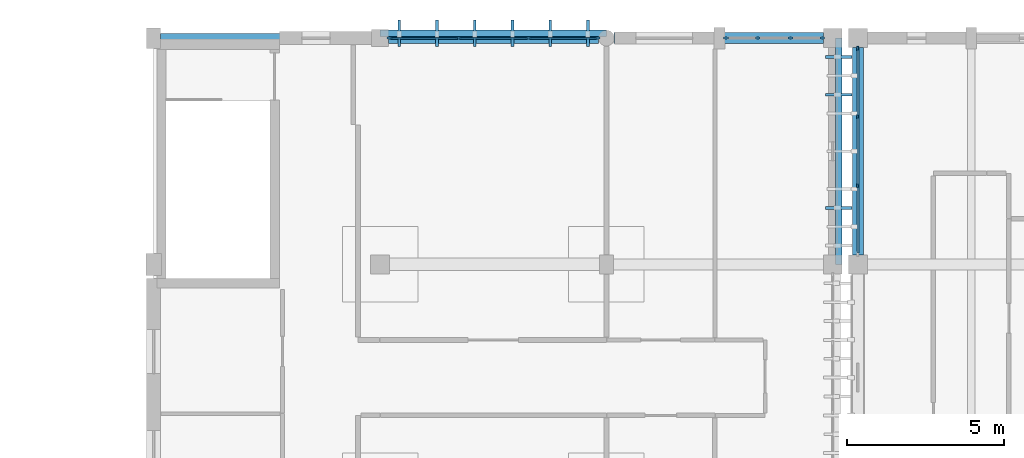
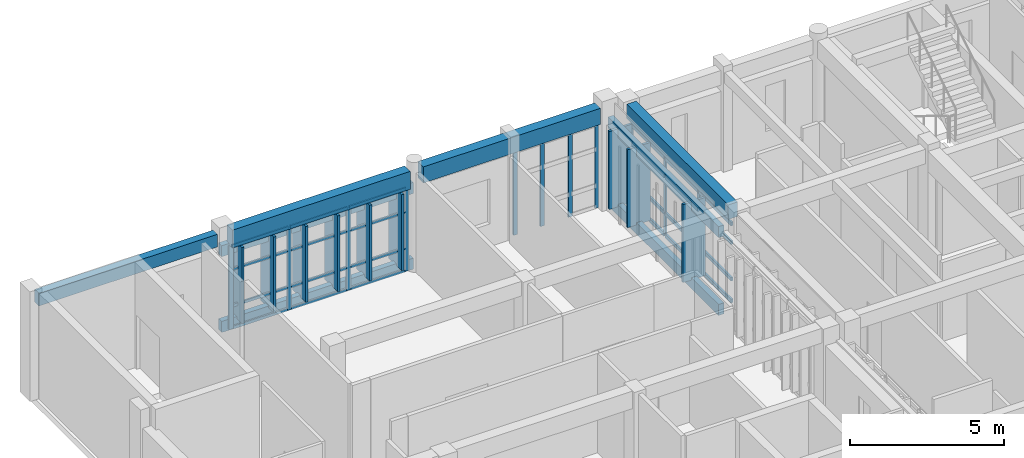
# One storey, part 15 of 55: 44 members, 8 beams, 3 elements without a shape of their own.
"""IFC4 building model written with IfcOpenShell, lengths in metres."""

from ifc_helpers import new_model, si_unit, direction, frame, origin, origin_2d, place, context, subcontext, project, spatial, rectangle, extrude, material, material_profile, profile_set, type_object, element, aggregate, save


model = new_model("IFC4")

# Units and contexts
model_context = context("Model", 3, precision=1e-05, world=origin(), true_north=direction((0.0, 1.0)))
body_context = subcontext(model_context, "Body", "Model", "MODEL_VIEW")
ifc_project = project(units=[si_unit("LENGTHUNIT", "METRE"), si_unit("AREAUNIT", "SQUARE_METRE"), si_unit("VOLUMEUNIT", "CUBIC_METRE"), si_unit("PLANEANGLEUNIT", "RADIAN"), si_unit("MASSUNIT", "GRAM", prefix="KILO")], contexts=[model_context])

# Site, building, storey
site_placement = place(None, origin())
site = spatial("IfcSite", under=ifc_project, at=site_placement, CompositionType="ELEMENT")
building_placement = place(site_placement, origin())
building = spatial("IfcBuilding", under=site, at=building_placement, Name="Steenspoor Specialist Clinic", CompositionType="ELEMENT")
storey_placement = place(building_placement, frame((0.0, 0.0, 13.199951171875)))
storey = spatial("IfcBuildingStorey", under=building, at=storey_placement, Name="L03", CompositionType="ELEMENT", Elevation=13.199951171875)

# Beams
ifc_material_1 = material(Name="Glulam GL28h", Category="wood")
ifc_material_profile_1 = material_profile(ifc_material_1, rectangle(XDim=0.199951171875, YDim=0.43994140625, at=origin_2d()), Name="GL28H-200X440")
ifc_profile_set_1 = profile_set([ifc_material_profile_1], Name="Glulam GL28h")
beam_type_1 = type_object("IfcBeamType", Name="BM-GL-200X440", PredefinedType="BEAM", material=ifc_profile_set_1)
for number, where, z_axis, x_axis, name in (
    (1, (37.199951171875, 108.5, 0.14013671875), (1.0, 0.0, 0.0), (0.0, 1.0, 0.0), "Timber Screen Tie Rail V5 L03 193"),
    (2, (37.199951171875, 108.5, 3.150146484375), (1.0, 0.0, 0.0), (0.0, 1.0, 0.0), "Timber Screen Tie Rail V5 L03 194"),
):
    element("IfcBeam", number, at=place(storey_placement, frame(where, z_axis=z_axis, x_axis=x_axis)), inside=storey, type_object=beam_type_1, Name=name, PredefinedType="BEAM", context=body_context, shape_type="SweptSolid", body=[
        extrude(rectangle(XDim=0.199951171875, YDim=0.43994140625, at=origin_2d()), origin(), (0.0, 0.0, 1.0), 7.199951171875),
    ])
for number, where, z_axis, x_axis, name in (
    (3, (51.7900390625, 108.35009765625, 0.14013671875), (0.0, -1.0, 0.0), (1.0, 0.0, 0.0), "Timber Screen Tie Rail V5 L03 201"),
    (4, (51.7900390625, 108.35009765625, 3.22998046875), (0.0, -1.0, 0.0), (1.0, 0.0, 0.0), "Timber Screen Tie Rail V5 L03 202"),
):
    element("IfcBeam", number, at=place(storey_placement, frame(where, z_axis=z_axis, x_axis=x_axis)), inside=storey, type_object=beam_type_1, Name=name, PredefinedType="BEAM", context=body_context, shape_type="SweptSolid", body=[
        extrude(rectangle(XDim=0.199951171875, YDim=0.43994140625, at=origin_2d()), origin(), (0.0, 0.0, 1.0), 7.2001953125),
    ])
ifc_material_2 = material(Name="Concrete C35/45", Category="concrete")
ifc_material_profile_2 = material_profile(ifc_material_2, rectangle(XDim=0.35009765625, YDim=0.580078125, at=origin_2d()), Name="RC-BM-350X580")
ifc_profile_set_2 = profile_set([ifc_material_profile_2], Name="Concrete C35/45")
beam_type_2 = type_object("IfcBeamType", Name="BM-RC-350X580", PredefinedType="BEAM", material=ifc_profile_set_2)
beam_1_placement = place(storey_placement, frame((52.39990234375, 101.445068359375, 3.66015625), z_axis=(0.0, 1.0, 0.0), x_axis=(-1.0, 0.0, 0.0)))
element("IfcBeam", 5, at=beam_1_placement, inside=storey, type_object=beam_type_2, Name="BM-V4-L03-Y0868", PredefinedType="BEAM", context=body_context, shape_type="SweptSolid", body=[
    extrude(rectangle(XDim=0.35009765625, YDim=0.580078125, at=origin_2d()), origin(), (0.0, 0.0, 1.0), 6.60986328125),
])

# Curtain wall, members
ifc_material_3 = material(Name="Thermally broken aluminium and low-emissivity glass", Category="aluminium")
curtain_wall_type_1 = type_object("IfcCurtainWallType", Name="CW-TYP-650X355", PredefinedType="USERDEFINED", material=ifc_material_3)
curtain_wall_1_placement = place(storey_placement, origin())
curtain_wall_1 = element("IfcCurtainWall", 6, at=curtain_wall_1_placement, inside=storey, type_object=curtain_wall_type_1, Name="Unitised Curtain Wall CW-V4-L03-106", ObjectType="UNITISED GLAZING", PredefinedType="USERDEFINED")
ifc_material_4 = material(Name="Thermally broken aluminium 6063-T6", Category="aluminium")
ifc_material_profile_3 = material_profile(ifc_material_4, rectangle(XDim=0.06005859375, YDim=0.135009765625, at=origin_2d()), Name="CWM-60X135")
ifc_profile_set_3 = profile_set([ifc_material_profile_3], Name="Thermally broken aluminium 6063-T6")
member_type_1 = type_object("IfcMemberType", Name="CW-MULL-60X135", PredefinedType="MULLION", material=ifc_profile_set_3)
member_1_placement = place(storey_placement, frame((52.39990234375, 103.64990234375, 0.0), z_axis=(0.0, 0.0, 1.0), x_axis=(-1.0, 0.0, 0.0)))
member_1 = element("IfcMember", 7, at=member_1_placement, type_object=member_type_1, Name="CW-10 mullion 2", PredefinedType="MULLION", context=body_context, shape_type="SweptSolid", body=[
    extrude(rectangle(XDim=0.06005859375, YDim=0.135009765625, at=origin_2d()), origin(), (0.0, 0.0, 1.0), 3.130126953125),
])
member_2_placement = place(storey_placement, frame((52.39990234375, 105.85009765625, 0.0), z_axis=(0.0, 0.0, 1.0), x_axis=(-1.0, 0.0, 0.0)))
member_2 = element("IfcMember", 8, at=member_2_placement, type_object=member_type_1, Name="CW-10 mullion 3", PredefinedType="MULLION", context=body_context, shape_type="SweptSolid", body=[
    extrude(rectangle(XDim=0.06005859375, YDim=0.135009765625, at=origin_2d()), origin(), (0.0, 0.0, 1.0), 3.130126953125),
])
member_3_placement = place(storey_placement, frame((52.39990234375, 108.02001953125, 0.0), z_axis=(0.0, 0.0, 1.0), x_axis=(-1.0, 0.0, 0.0)))
member_3 = element("IfcMember", 9, at=member_3_placement, type_object=member_type_1, Name="CW-10 mullion 4", PredefinedType="MULLION", context=body_context, shape_type="SweptSolid", body=[
    extrude(rectangle(XDim=0.06005859375, YDim=0.135009765625, at=origin_2d()), origin(), (0.0, 0.0, 1.0), 3.130126953125),
])

curtain_wall_type_2 = type_object("IfcCurtainWallType", Name="CW-TYP-300X355", PredefinedType="USERDEFINED", material=ifc_material_3)
curtain_wall_2_placement = place(storey_placement, origin())
curtain_wall_2 = element("IfcCurtainWall", 10, at=curtain_wall_2_placement, inside=storey, type_object=curtain_wall_type_2, Name="Unitised Curtain Wall CW-V5-L03-159", ObjectType="UNITISED GLAZING", PredefinedType="USERDEFINED")
ifc_material_profile_4 = material_profile(ifc_material_4, rectangle(XDim=0.06494140625, YDim=0.14990234375, at=origin_2d()), Name="CWM-65X150")
ifc_profile_set_4 = profile_set([ifc_material_profile_4], Name="Thermally broken aluminium 6063-T6")
member_type_2 = type_object("IfcMemberType", Name="CW-MULL-65X150", PredefinedType="MULLION", material=ifc_profile_set_4)
member_4_placement = place(storey_placement, frame((48.202392578125, 108.35009765625, 0.0), z_axis=(0.0, 0.0, 1.0), x_axis=(0.0, 1.0, 0.0)))
member_4 = element("IfcMember", 11, at=member_4_placement, type_object=member_type_2, Name="CW-15 mullion 1", PredefinedType="MULLION", context=body_context, shape_type="SweptSolid", body=[
    extrude(rectangle(XDim=0.06494140625, YDim=0.14990234375, at=origin_2d()), origin(), (0.0, 0.0, 1.0), 3.380126953125),
])
member_5_placement = place(storey_placement, frame((49.21337890625, 108.35009765625, 0.0), z_axis=(0.0, 0.0, 1.0), x_axis=(0.0, 1.0, 0.0)))
member_5 = element("IfcMember", 12, at=member_5_placement, type_object=member_type_2, Name="CW-15 mullion 2", PredefinedType="MULLION", context=body_context, shape_type="SweptSolid", body=[
    extrude(rectangle(XDim=0.06494140625, YDim=0.14990234375, at=origin_2d()), origin(), (0.0, 0.0, 1.0), 3.380126953125),
])
member_6_placement = place(storey_placement, frame((50.256591796875, 108.35009765625, 0.0), z_axis=(0.0, 0.0, 1.0), x_axis=(0.0, 1.0, 0.0)))
member_6 = element("IfcMember", 13, at=member_6_placement, type_object=member_type_2, Name="CW-15 mullion 3", PredefinedType="MULLION", context=body_context, shape_type="SweptSolid", body=[
    extrude(rectangle(XDim=0.06494140625, YDim=0.14990234375, at=origin_2d()), origin(), (0.0, 0.0, 1.0), 3.380126953125),
])
member_7_placement = place(storey_placement, frame((51.267578125, 108.35009765625, 0.0), z_axis=(0.0, 0.0, 1.0), x_axis=(0.0, 1.0, 0.0)))
member_7 = element("IfcMember", 14, at=member_7_placement, type_object=member_type_2, Name="CW-15 mullion 4", PredefinedType="MULLION", context=body_context, shape_type="SweptSolid", body=[
    extrude(rectangle(XDim=0.06494140625, YDim=0.14990234375, at=origin_2d()), origin(), (0.0, 0.0, 1.0), 3.380126953125),
])
aggregate(curtain_wall_2, [member_4, member_5, member_6, member_7])

curtain_wall_type_3 = type_object("IfcCurtainWallType", Name="CW-TYP-360X355", PredefinedType="USERDEFINED", material=ifc_material_3)
curtain_wall_3_placement = place(storey_placement, origin())
curtain_wall_3 = element("IfcCurtainWall", 15, at=curtain_wall_3_placement, inside=storey, type_object=curtain_wall_type_3, Name="Unitised Curtain Wall CW-V5-L03-158", ObjectType="UNITISED GLAZING", PredefinedType="USERDEFINED")
ifc_material_profile_5 = material_profile(ifc_material_4, rectangle(XDim=0.070068359375, YDim=0.1650390625, at=origin_2d()), Name="CWM-70X165")
ifc_profile_set_5 = profile_set([ifc_material_profile_5], Name="Thermally broken aluminium 6063-T6")
member_type_3 = type_object("IfcMemberType", Name="CW-MULL-70X165", PredefinedType="MULLION", material=ifc_profile_set_5)
member_8_placement = place(storey_placement, frame((37.510009765625, 108.35009765625, 0.0), z_axis=(0.0, 0.0, 1.0), x_axis=(0.0, 1.0, 0.0)))
member_8 = element("IfcMember", 16, at=member_8_placement, type_object=member_type_3, Name="CW-14 mullion 1", PredefinedType="MULLION", context=body_context, shape_type="SweptSolid", body=[
    extrude(rectangle(XDim=0.070068359375, YDim=0.1650390625, at=origin_2d()), origin(), (0.0, 0.0, 1.0), 3.300048828125),
])
member_9_placement = place(storey_placement, frame((39.699951171875, 108.35009765625, 0.0), z_axis=(0.0, 0.0, 1.0), x_axis=(0.0, 1.0, 0.0)))
member_9 = element("IfcMember", 17, at=member_9_placement, type_object=member_type_3, Name="CW-14 mullion 2", PredefinedType="MULLION", context=body_context, shape_type="SweptSolid", body=[
    extrude(rectangle(XDim=0.070068359375, YDim=0.1650390625, at=origin_2d()), origin(), (0.0, 0.0, 1.0), 3.300048828125),
])
member_10_placement = place(storey_placement, frame((41.925048828125, 108.35009765625, 0.0), z_axis=(0.0, 0.0, 1.0), x_axis=(0.0, 1.0, 0.0)))
member_10 = element("IfcMember", 18, at=member_10_placement, type_object=member_type_3, Name="CW-14 mullion 3", PredefinedType="MULLION", context=body_context, shape_type="SweptSolid", body=[
    extrude(rectangle(XDim=0.070068359375, YDim=0.1650390625, at=origin_2d()), origin(), (0.0, 0.0, 1.0), 3.300048828125),
])
member_11_placement = place(storey_placement, frame((44.114990234375, 108.35009765625, 0.0), z_axis=(0.0, 0.0, 1.0), x_axis=(0.0, 1.0, 0.0)))
member_11 = element("IfcMember", 19, at=member_11_placement, type_object=member_type_3, Name="CW-14 mullion 4", PredefinedType="MULLION", context=body_context, shape_type="SweptSolid", body=[
    extrude(rectangle(XDim=0.070068359375, YDim=0.1650390625, at=origin_2d()), origin(), (0.0, 0.0, 1.0), 3.300048828125),
])
ifc_material_profile_6 = material_profile(ifc_material_4, rectangle(XDim=0.06005859375, YDim=0.114990234375, at=origin_2d()), Name="CWT-60X115")
ifc_profile_set_6 = profile_set([ifc_material_profile_6], Name="Thermally broken aluminium 6063-T6")
member_type_4 = type_object("IfcMemberType", Name="CW-TRAN-60X115", PredefinedType="USERDEFINED", material=ifc_profile_set_6)
member_12_placement = place(storey_placement, frame((37.544921875, 108.35009765625, 0.030029296875), z_axis=(1.0, 0.0, 0.0), x_axis=(0.0, 1.0, 0.0)))
member_12 = element("IfcMember", 20, at=member_12_placement, type_object=member_type_4, Name="CW-14 transom 1.1", ObjectType="TRANSOM", PredefinedType="USERDEFINED", context=body_context, shape_type="SweptSolid", body=[
    extrude(rectangle(XDim=0.06005859375, YDim=0.114990234375, at=origin_2d()), origin(), (0.0, 0.0, 1.0), 2.1201171875),
])
member_13_placement = place(storey_placement, frame((37.544921875, 108.35009765625, 0.900146484375), z_axis=(1.0, 0.0, 0.0), x_axis=(0.0, 1.0, 0.0)))
member_13 = element("IfcMember", 21, at=member_13_placement, type_object=member_type_4, Name="CW-14 transom 1.2", ObjectType="TRANSOM", PredefinedType="USERDEFINED", context=body_context, shape_type="SweptSolid", body=[
    extrude(rectangle(XDim=0.06005859375, YDim=0.114990234375, at=origin_2d()), origin(), (0.0, 0.0, 1.0), 2.1201171875),
])
member_14_placement = place(storey_placement, frame((37.544921875, 108.35009765625, 2.35009765625), z_axis=(1.0, 0.0, 0.0), x_axis=(0.0, 1.0, 0.0)))
member_14 = element("IfcMember", 22, at=member_14_placement, type_object=member_type_4, Name="CW-14 transom 1.3", ObjectType="TRANSOM", PredefinedType="USERDEFINED", context=body_context, shape_type="SweptSolid", body=[
    extrude(rectangle(XDim=0.06005859375, YDim=0.114990234375, at=origin_2d()), origin(), (0.0, 0.0, 1.0), 2.1201171875),
])
member_15_placement = place(storey_placement, frame((37.544921875, 108.35009765625, 3.27001953125), z_axis=(1.0, 0.0, 0.0), x_axis=(0.0, 1.0, 0.0)))
member_15 = element("IfcMember", 23, at=member_15_placement, type_object=member_type_4, Name="CW-14 transom 1.4", ObjectType="TRANSOM", PredefinedType="USERDEFINED", context=body_context, shape_type="SweptSolid", body=[
    extrude(rectangle(XDim=0.06005859375, YDim=0.114990234375, at=origin_2d()), origin(), (0.0, 0.0, 1.0), 2.1201171875),
])
member_16_placement = place(storey_placement, frame((39.735107421875, 108.35009765625, 0.030029296875), z_axis=(1.0, 0.0, 0.0), x_axis=(0.0, 1.0, 0.0)))
member_16 = element("IfcMember", 24, at=member_16_placement, type_object=member_type_4, Name="CW-14 transom 2.1", ObjectType="TRANSOM", PredefinedType="USERDEFINED", context=body_context, shape_type="SweptSolid", body=[
    extrude(rectangle(XDim=0.06005859375, YDim=0.114990234375, at=origin_2d()), origin(), (0.0, 0.0, 1.0), 2.15478515625),
])
member_17_placement = place(storey_placement, frame((39.735107421875, 108.35009765625, 0.900146484375), z_axis=(1.0, 0.0, 0.0), x_axis=(0.0, 1.0, 0.0)))
member_17 = element("IfcMember", 25, at=member_17_placement, type_object=member_type_4, Name="CW-14 transom 2.2", ObjectType="TRANSOM", PredefinedType="USERDEFINED", context=body_context, shape_type="SweptSolid", body=[
    extrude(rectangle(XDim=0.06005859375, YDim=0.114990234375, at=origin_2d()), origin(), (0.0, 0.0, 1.0), 2.15478515625),
])
member_18_placement = place(storey_placement, frame((39.735107421875, 108.35009765625, 2.35009765625), z_axis=(1.0, 0.0, 0.0), x_axis=(0.0, 1.0, 0.0)))
member_18 = element("IfcMember", 26, at=member_18_placement, type_object=member_type_4, Name="CW-14 transom 2.3", ObjectType="TRANSOM", PredefinedType="USERDEFINED", context=body_context, shape_type="SweptSolid", body=[
    extrude(rectangle(XDim=0.06005859375, YDim=0.114990234375, at=origin_2d()), origin(), (0.0, 0.0, 1.0), 2.15478515625),
])
member_19_placement = place(storey_placement, frame((39.735107421875, 108.35009765625, 3.27001953125), z_axis=(1.0, 0.0, 0.0), x_axis=(0.0, 1.0, 0.0)))
member_19 = element("IfcMember", 27, at=member_19_placement, type_object=member_type_4, Name="CW-14 transom 2.4", ObjectType="TRANSOM", PredefinedType="USERDEFINED", context=body_context, shape_type="SweptSolid", body=[
    extrude(rectangle(XDim=0.06005859375, YDim=0.114990234375, at=origin_2d()), origin(), (0.0, 0.0, 1.0), 2.15478515625),
])
member_20_placement = place(storey_placement, frame((41.9599609375, 108.35009765625, 0.030029296875), z_axis=(1.0, 0.0, 0.0), x_axis=(0.0, 1.0, 0.0)))
member_20 = element("IfcMember", 28, at=member_20_placement, type_object=member_type_4, Name="CW-14 transom 3.1", ObjectType="TRANSOM", PredefinedType="USERDEFINED", context=body_context, shape_type="SweptSolid", body=[
    extrude(rectangle(XDim=0.06005859375, YDim=0.114990234375, at=origin_2d()), origin(), (0.0, 0.0, 1.0), 2.1201171875),
])
member_21_placement = place(storey_placement, frame((41.9599609375, 108.35009765625, 0.900146484375), z_axis=(1.0, 0.0, 0.0), x_axis=(0.0, 1.0, 0.0)))
member_21 = element("IfcMember", 29, at=member_21_placement, type_object=member_type_4, Name="CW-14 transom 3.2", ObjectType="TRANSOM", PredefinedType="USERDEFINED", context=body_context, shape_type="SweptSolid", body=[
    extrude(rectangle(XDim=0.06005859375, YDim=0.114990234375, at=origin_2d()), origin(), (0.0, 0.0, 1.0), 2.1201171875),
])
member_22_placement = place(storey_placement, frame((41.9599609375, 108.35009765625, 2.35009765625), z_axis=(1.0, 0.0, 0.0), x_axis=(0.0, 1.0, 0.0)))
member_22 = element("IfcMember", 30, at=member_22_placement, type_object=member_type_4, Name="CW-14 transom 3.3", ObjectType="TRANSOM", PredefinedType="USERDEFINED", context=body_context, shape_type="SweptSolid", body=[
    extrude(rectangle(XDim=0.06005859375, YDim=0.114990234375, at=origin_2d()), origin(), (0.0, 0.0, 1.0), 2.1201171875),
])
member_23_placement = place(storey_placement, frame((41.9599609375, 108.35009765625, 3.27001953125), z_axis=(1.0, 0.0, 0.0), x_axis=(0.0, 1.0, 0.0)))
member_23 = element("IfcMember", 31, at=member_23_placement, type_object=member_type_4, Name="CW-14 transom 3.4", ObjectType="TRANSOM", PredefinedType="USERDEFINED", context=body_context, shape_type="SweptSolid", body=[
    extrude(rectangle(XDim=0.06005859375, YDim=0.114990234375, at=origin_2d()), origin(), (0.0, 0.0, 1.0), 2.1201171875),
])
aggregate(curtain_wall_3, [member_8, member_9, member_10, member_11, member_12, member_13, member_14, member_15, member_16, member_17, member_18, member_19, member_20, member_21, member_22, member_23])

# Member
ifc_material_profile_7 = material_profile(ifc_material_4, rectangle(XDim=0.070068359375, YDim=0.14501953125, at=origin_2d()), Name="CWT-70X145")
ifc_profile_set_7 = profile_set([ifc_material_profile_7], Name="Thermally broken aluminium 6063-T6")
member_type_5 = type_object("IfcMemberType", Name="CW-TRAN-70X145", PredefinedType="USERDEFINED", material=ifc_profile_set_7)
member_24_placement = place(storey_placement, frame((52.39990234375, 101.510009765625, 0.03515625), z_axis=(0.0, 1.0, 0.0), x_axis=(-1.0, 0.0, 0.0)))
member_24 = element("IfcMember", 32, at=member_24_placement, type_object=member_type_5, Name="CW-10 transom 1.1", ObjectType="TRANSOM", PredefinedType="USERDEFINED", context=body_context, shape_type="SweptSolid", body=[
    extrude(rectangle(XDim=0.070068359375, YDim=0.14501953125, at=origin_2d()), origin(), (0.0, 0.0, 1.0), 2.110107421875),
])

member_25_placement = place(storey_placement, frame((52.39990234375, 101.510009765625, 0.900146484375), z_axis=(0.0, 1.0, 0.0), x_axis=(-1.0, 0.0, 0.0)))
member_25 = element("IfcMember", 33, at=member_25_placement, type_object=member_type_5, Name="CW-10 transom 1.2", ObjectType="TRANSOM", PredefinedType="USERDEFINED", context=body_context, shape_type="SweptSolid", body=[
    extrude(rectangle(XDim=0.070068359375, YDim=0.14501953125, at=origin_2d()), origin(), (0.0, 0.0, 1.0), 2.110107421875),
])

member_26_placement = place(storey_placement, frame((52.39990234375, 101.510009765625, 2.35009765625), z_axis=(0.0, 1.0, 0.0), x_axis=(-1.0, 0.0, 0.0)))
member_26 = element("IfcMember", 34, at=member_26_placement, type_object=member_type_5, Name="CW-10 transom 1.3", ObjectType="TRANSOM", PredefinedType="USERDEFINED", context=body_context, shape_type="SweptSolid", body=[
    extrude(rectangle(XDim=0.070068359375, YDim=0.14501953125, at=origin_2d()), origin(), (0.0, 0.0, 1.0), 2.110107421875),
])

member_27_placement = place(storey_placement, frame((52.39990234375, 101.510009765625, 3.094970703125), z_axis=(0.0, 1.0, 0.0), x_axis=(-1.0, 0.0, 0.0)))
member_27 = element("IfcMember", 35, at=member_27_placement, type_object=member_type_5, Name="CW-10 transom 1.4", ObjectType="TRANSOM", PredefinedType="USERDEFINED", context=body_context, shape_type="SweptSolid", body=[
    extrude(rectangle(XDim=0.070068359375, YDim=0.14501953125, at=origin_2d()), origin(), (0.0, 0.0, 1.0), 2.110107421875),
])

member_28_placement = place(storey_placement, frame((52.39990234375, 103.679931640625, 0.03515625), z_axis=(0.0, 1.0, 0.0), x_axis=(-1.0, 0.0, 0.0)))
member_28 = element("IfcMember", 36, at=member_28_placement, type_object=member_type_5, Name="CW-10 transom 2.1", ObjectType="TRANSOM", PredefinedType="USERDEFINED", context=body_context, shape_type="SweptSolid", body=[
    extrude(rectangle(XDim=0.070068359375, YDim=0.14501953125, at=origin_2d()), origin(), (0.0, 0.0, 1.0), 2.14013671875),
])

member_29_placement = place(storey_placement, frame((52.39990234375, 103.679931640625, 0.900146484375), z_axis=(0.0, 1.0, 0.0), x_axis=(-1.0, 0.0, 0.0)))
member_29 = element("IfcMember", 37, at=member_29_placement, type_object=member_type_5, Name="CW-10 transom 2.2", ObjectType="TRANSOM", PredefinedType="USERDEFINED", context=body_context, shape_type="SweptSolid", body=[
    extrude(rectangle(XDim=0.070068359375, YDim=0.14501953125, at=origin_2d()), origin(), (0.0, 0.0, 1.0), 2.14013671875),
])

member_30_placement = place(storey_placement, frame((52.39990234375, 103.679931640625, 2.35009765625), z_axis=(0.0, 1.0, 0.0), x_axis=(-1.0, 0.0, 0.0)))
member_30 = element("IfcMember", 38, at=member_30_placement, type_object=member_type_5, Name="CW-10 transom 2.3", ObjectType="TRANSOM", PredefinedType="USERDEFINED", context=body_context, shape_type="SweptSolid", body=[
    extrude(rectangle(XDim=0.070068359375, YDim=0.14501953125, at=origin_2d()), origin(), (0.0, 0.0, 1.0), 2.14013671875),
])

member_31_placement = place(storey_placement, frame((52.39990234375, 103.679931640625, 3.094970703125), z_axis=(0.0, 1.0, 0.0), x_axis=(-1.0, 0.0, 0.0)))
member_31 = element("IfcMember", 39, at=member_31_placement, type_object=member_type_5, Name="CW-10 transom 2.4", ObjectType="TRANSOM", PredefinedType="USERDEFINED", context=body_context, shape_type="SweptSolid", body=[
    extrude(rectangle(XDim=0.070068359375, YDim=0.14501953125, at=origin_2d()), origin(), (0.0, 0.0, 1.0), 2.14013671875),
])

member_32_placement = place(storey_placement, frame((52.39990234375, 105.8798828125, 0.03515625), z_axis=(0.0, 1.0, 0.0), x_axis=(-1.0, 0.0, 0.0)))
member_32 = element("IfcMember", 40, at=member_32_placement, type_object=member_type_5, Name="CW-10 transom 3.1", ObjectType="TRANSOM", PredefinedType="USERDEFINED", context=body_context, shape_type="SweptSolid", body=[
    extrude(rectangle(XDim=0.070068359375, YDim=0.14501953125, at=origin_2d()), origin(), (0.0, 0.0, 1.0), 2.110107421875),
])

member_33_placement = place(storey_placement, frame((52.39990234375, 105.8798828125, 0.900146484375), z_axis=(0.0, 1.0, 0.0), x_axis=(-1.0, 0.0, 0.0)))
member_33 = element("IfcMember", 41, at=member_33_placement, type_object=member_type_5, Name="CW-10 transom 3.2", ObjectType="TRANSOM", PredefinedType="USERDEFINED", context=body_context, shape_type="SweptSolid", body=[
    extrude(rectangle(XDim=0.070068359375, YDim=0.14501953125, at=origin_2d()), origin(), (0.0, 0.0, 1.0), 2.110107421875),
])

member_34_placement = place(storey_placement, frame((52.39990234375, 105.8798828125, 2.35009765625), z_axis=(0.0, 1.0, 0.0), x_axis=(-1.0, 0.0, 0.0)))
member_34 = element("IfcMember", 42, at=member_34_placement, type_object=member_type_5, Name="CW-10 transom 3.3", ObjectType="TRANSOM", PredefinedType="USERDEFINED", context=body_context, shape_type="SweptSolid", body=[
    extrude(rectangle(XDim=0.070068359375, YDim=0.14501953125, at=origin_2d()), origin(), (0.0, 0.0, 1.0), 2.110107421875),
])

member_35_placement = place(storey_placement, frame((52.39990234375, 105.8798828125, 3.094970703125), z_axis=(0.0, 1.0, 0.0), x_axis=(-1.0, 0.0, 0.0)))
member_35 = element("IfcMember", 43, at=member_35_placement, type_object=member_type_5, Name="CW-10 transom 3.4", ObjectType="TRANSOM", PredefinedType="USERDEFINED", context=body_context, shape_type="SweptSolid", body=[
    extrude(rectangle(XDim=0.070068359375, YDim=0.14501953125, at=origin_2d()), origin(), (0.0, 0.0, 1.0), 2.110107421875),
])

aggregate(curtain_wall_1, [member_1, member_2, member_3, member_24, member_25, member_26, member_27, member_28, member_29, member_30, member_31, member_32, member_33, member_34, member_35])

# Members
ifc_material_profile_8 = material_profile(ifc_material_1, rectangle(XDim=0.090087890625, YDim=0.85009765625, at=origin_2d()), Name="GL28H-90X850")
ifc_profile_set_8 = profile_set([ifc_material_profile_8], Name="Glulam GL28h")
member_type_6 = type_object("IfcMemberType", Name="MEM-SCREEN-GL850", PredefinedType="STRUT", material=ifc_profile_set_8)
for number, where, z_axis, x_axis, name in (
    (44, (37.8125, 108.5, 0.27001953125), (0.0, 0.0, 1.0), (1.0, 0.0, 0.0), "Glulam Timber Screen Fin SCR-FIN-V5-L03-0195"),
    (45, (39.012451171875, 108.5, 0.27001953125), (0.0, 0.0, 1.0), (1.0, 0.0, 0.0), "Glulam Timber Screen Fin SCR-FIN-V5-L03-0196"),
    (46, (40.21240234375, 108.5, 0.27001953125), (0.0, 0.0, 1.0), (1.0, 0.0, 0.0), "Glulam Timber Screen Fin SCR-FIN-V5-L03-0197"),
    (47, (41.41259765625, 108.5, 0.27001953125), (0.0, 0.0, 1.0), (1.0, 0.0, 0.0), "Glulam Timber Screen Fin SCR-FIN-V5-L03-0198"),
    (48, (42.612548828125, 108.5, 0.27001953125), (0.0, 0.0, 1.0), (1.0, 0.0, 0.0), "Glulam Timber Screen Fin SCR-FIN-V5-L03-0199"),
    (49, (43.8125, 108.5, 0.27001953125), (0.0, 0.0, 1.0), (1.0, 0.0, 0.0), "Glulam Timber Screen Fin SCR-FIN-V5-L03-0200"),
):
    element("IfcMember", number, at=place(storey_placement, frame(where, z_axis=z_axis, x_axis=x_axis)), inside=storey, type_object=member_type_6, Name=name, PredefinedType="STRUT", context=body_context, shape_type="SweptSolid", body=[
        extrude(rectangle(XDim=0.090087890625, YDim=0.85009765625, at=origin_2d()), origin(), (0.0, 0.0, 1.0), 3.02001953125),
    ])
for number, where, z_axis, x_axis, name in (
    (50, (51.7900390625, 107.75, 0.27001953125), (0.0, 0.0, 1.0), (0.0, -1.0, 0.0), "Glulam Timber Screen Fin SCR-FIN-V5-L03-0203"),
    (51, (51.7900390625, 106.550048828125, 0.27001953125), (0.0, 0.0, 1.0), (0.0, -1.0, 0.0), "Glulam Timber Screen Fin SCR-FIN-V5-L03-0204"),
    (52, (51.7900390625, 102.949951171875, 0.27001953125), (0.0, 0.0, 1.0), (0.0, -1.0, 0.0), "Glulam Timber Screen Fin SCR-FIN-V5-L03-0205"),
):
    element("IfcMember", number, at=place(storey_placement, frame(where, z_axis=z_axis, x_axis=x_axis)), inside=storey, type_object=member_type_6, Name=name, PredefinedType="STRUT", context=body_context, shape_type="SweptSolid", body=[
        extrude(rectangle(XDim=0.090087890625, YDim=0.85009765625, at=origin_2d()), origin(), (0.0, 0.0, 1.0), 3.10009765625),
    ])

# Beams
ifc_material_profile_9 = material_profile(ifc_material_2, rectangle(XDim=0.280029296875, YDim=0.5, at=origin_2d()), Name="RC-SP-280X500")
ifc_profile_set_9 = profile_set([ifc_material_profile_9], Name="Concrete C35/45")
beam_type_3 = type_object("IfcBeamType", Name="SP-RC-280X500", PredefinedType="SPANDREL", material=ifc_profile_set_9)
beam_2_placement = place(storey_placement, frame((30.219970703125, 108.35009765625, 3.78515625), z_axis=(1.0, 0.0, 0.0), x_axis=(0.0, 1.0, 0.0)))
element("IfcBeam", 53, at=beam_2_placement, inside=storey, type_object=beam_type_3, Name="BM-V5-L03-X1353", PredefinedType="SPANDREL", context=body_context, shape_type="SweptSolid", body=[
    extrude(rectangle(XDim=0.280029296875, YDim=0.5, at=origin_2d()), origin(), (0.0, 0.0, 1.0), 6.7099609375),
])
ifc_material_profile_10 = material_profile(ifc_material_2, rectangle(XDim=0.360107421875, YDim=0.639892578125, at=origin_2d()), Name="RC-SP-360X640")
ifc_profile_set_10 = profile_set([ifc_material_profile_10], Name="Concrete C35/45")
beam_type_4 = type_object("IfcBeamType", Name="SP-RC-360X640", PredefinedType="SPANDREL", material=ifc_profile_set_10)
beam_3_placement = place(storey_placement, frame((44.64501953125, 108.35009765625, 3.715087890625), z_axis=(1.0, 0.0, 0.0), x_axis=(0.0, 1.0, 0.0)))
element("IfcBeam", 54, at=beam_3_placement, inside=storey, type_object=beam_type_4, Name="BM-V5-L03-X1355", PredefinedType="SPANDREL", context=body_context, shape_type="SweptSolid", body=[
    extrude(rectangle(XDim=0.360107421875, YDim=0.639892578125, at=origin_2d()), origin(), (0.0, 0.0, 1.0), 6.659912109375),
])
ifc_material_profile_11 = material_profile(ifc_material_2, rectangle(XDim=0.360107421875, YDim=0.719970703125, at=origin_2d()), Name="RC-SP-360X720")
ifc_profile_set_11 = profile_set([ifc_material_profile_11], Name="Concrete C35/45")
beam_type_5 = type_object("IfcBeamType", Name="SP-RC-360X720", PredefinedType="SPANDREL", material=ifc_profile_set_11)
beam_4_placement = place(storey_placement, frame((37.469970703125, 108.35009765625, 3.675048828125), z_axis=(1.0, 0.0, 0.0), x_axis=(0.0, 1.0, 0.0)))
element("IfcBeam", 55, at=beam_4_placement, inside=storey, type_object=beam_type_5, Name="BM-V5-L03-X1354", PredefinedType="SPANDREL", context=body_context, shape_type="SweptSolid", body=[
    extrude(rectangle(XDim=0.360107421875, YDim=0.719970703125, at=origin_2d()), origin(), (0.0, 0.0, 1.0), 6.68505859375),
])

save(model, "model.ifc")
